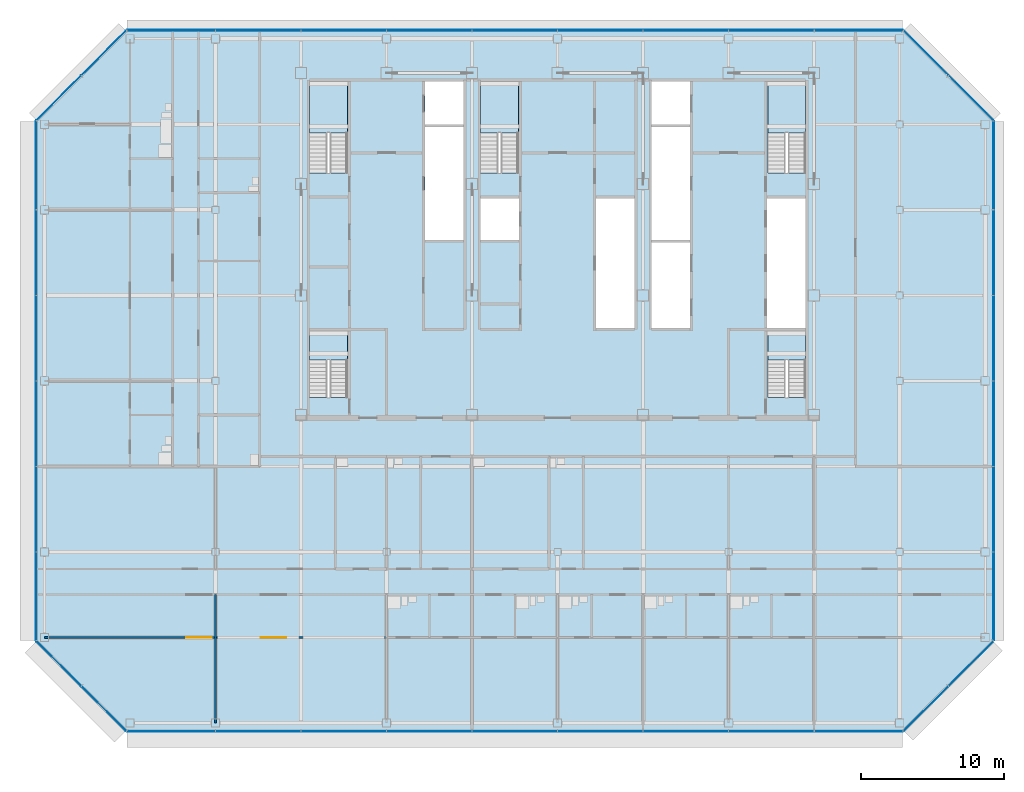
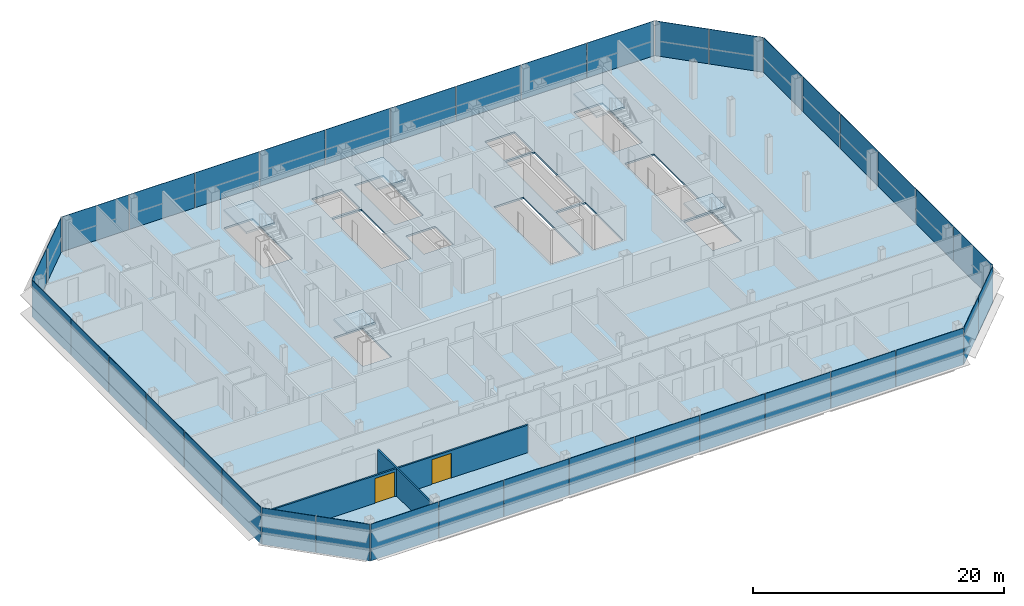
# One storey, part 20 of 28: 38 plates, 6 slabs, 2 doors, 2 walls, 2 openings, 13 elements without a shape of their own.
"""IFC4 building model written with IfcOpenShell, lengths in metres."""

from ifc_helpers import new_model, si_unit, direction, frame, frame_2d, origin, origin_2d, place, context, subcontext, project, spatial, polyline, rectangle, outline, extrude, material, layer, layer_set, type_object, element, fill, aggregate, save


model = new_model("IFC4")

# Units and contexts
model_context = context("Model", 3, precision=1e-05, world=origin(), true_north=direction((0.0, 1.0)))
body_context = subcontext(model_context, "Body", "Model", "MODEL_VIEW")
ifc_project = project(units=[si_unit("LENGTHUNIT", "METRE"), si_unit("AREAUNIT", "SQUARE_METRE"), si_unit("VOLUMEUNIT", "CUBIC_METRE"), si_unit("PLANEANGLEUNIT", "RADIAN"), si_unit("MASSUNIT", "GRAM", prefix="KILO")], contexts=[model_context])

# Site, building, storey
site_placement = place(None, origin())
site = spatial("IfcSite", under=ifc_project, at=site_placement, CompositionType="ELEMENT")
building_placement = place(site_placement, origin())
building = spatial("IfcBuilding", under=site, at=building_placement, Name="Sorahane Residences", CompositionType="ELEMENT")
storey_placement = place(building_placement, frame((0.0, 0.0, 254.0)))
storey = spatial("IfcBuildingStorey", under=building, at=storey_placement, Name="L60", CompositionType="ELEMENT", Elevation=254.0)

# Slab
ifc_material_1 = material(Name="Concrete C35", Category="concrete")
ifc_layer_1 = layer(ifc_material_1, 0.179931640625)
ifc_layer_set_1 = layer_set([ifc_layer_1], Name="Composite floor slab 180 mm Concrete C35")
slab_type_1 = type_object("IfcSlabType", Name="Composite floor slab 180 mm Concrete C35", PredefinedType="FLOOR", material=ifc_layer_set_1)
slab_1_placement = place(storey_placement, frame((0.0, 0.0, -0.179931640625)))
element("IfcSlab", 1, at=slab_1_placement, inside=storey, type_object=slab_type_1, Name="Slab L60", PredefinedType="FLOOR", context=body_context, shape_type="SweptSolid", body=[
    extrude(outline(polyline([(-6.24853515625, -0.60009765625), (-12.60009765625, 5.75146484375), (-12.60009765625, 42.24853515625), (-6.24853515625, 48.60009765625), (48.24853515625, 48.60009765625), (54.60009765625, 42.24853515625), (54.60009765625, 5.75146484375), (48.24853515625, -0.60009765625), (-6.24853515625, -0.60009765625)]), holes=[polyline([(38.699951171875, 27.699951171875), (41.39990234375, 27.699951171875), (41.39990234375, 36.800048828125), (38.699951171875, 36.800048828125), (38.699951171875, 27.699951171875)]), polyline([(30.60009765625, 27.699951171875), (33.300048828125, 27.699951171875), (33.300048828125, 33.699951171875), (30.60009765625, 33.699951171875), (30.60009765625, 27.699951171875)]), polyline([(30.60009765625, 42.0), (33.300048828125, 42.0), (33.300048828125, 45.0), (30.60009765625, 45.0), (30.60009765625, 42.0)]), polyline([(14.699951171875, 42.0), (17.39990234375, 42.0), (17.39990234375, 45.0), (14.699951171875, 45.0), (14.699951171875, 42.0)]), polyline([(9.25, 38.60009765625), (9.25, 45.0), (6.60009765625, 45.0), (6.60009765625, 38.60009765625), (9.25, 38.60009765625)]), polyline([(41.39990234375, 38.60009765625), (41.39990234375, 45.0), (38.75, 45.0), (38.75, 38.60009765625), (41.39990234375, 38.60009765625)]), polyline([(21.25, 38.60009765625), (21.25, 45.0), (18.60009765625, 45.0), (18.60009765625, 38.60009765625), (21.25, 38.60009765625)]), polyline([(9.25, 22.85009765625), (9.25, 27.5), (6.60009765625, 27.5), (6.60009765625, 22.85009765625), (9.25, 22.85009765625)]), polyline([(41.39990234375, 22.85009765625), (41.39990234375, 27.5), (38.75, 27.5), (38.75, 22.85009765625), (41.39990234375, 22.85009765625)]), polyline([(14.699951171875, 33.89990234375), (17.39990234375, 33.89990234375), (17.39990234375, 41.800048828125), (14.699951171875, 41.800048828125), (14.699951171875, 33.89990234375)]), polyline([(30.60009765625, 33.89990234375), (33.300048828125, 33.89990234375), (33.300048828125, 41.800048828125), (30.60009765625, 41.800048828125), (30.60009765625, 33.89990234375)]), polyline([(18.60009765625, 33.89990234375), (21.300048828125, 33.89990234375), (21.300048828125, 36.800048828125), (18.60009765625, 36.800048828125), (18.60009765625, 33.89990234375)]), polyline([(26.699951171875, 27.699951171875), (29.39990234375, 27.699951171875), (29.39990234375, 36.800048828125), (26.699951171875, 36.800048828125), (26.699951171875, 27.699951171875)])]), origin(), (0.0, 0.0, 1.0), 0.179931640625),
])

# Curtain wall, plates
ifc_material_2 = material(Name="Dark low-e glass and black anodised aluminium", Category="aluminium")
curtain_wall_type_1 = type_object("IfcCurtainWallType", Name="Curtain wall CW-1 Typical unitised wall", PredefinedType="NOTDEFINED", material=ifc_material_2)
curtain_wall_1_placement = place(storey_placement, origin())
curtain_wall_1 = element("IfcCurtainWall", 2, at=curtain_wall_1_placement, inside=storey, type_object=curtain_wall_type_1, Name="CW-1 curtain wall L60 S1", PredefinedType="NOTDEFINED")
ifc_material_3 = material(Name="Dark low-e glass with black ceramic frit", Category="glass")
ifc_layer_2 = layer(ifc_material_3, 0.0400390625)
ifc_layer_set_2 = layer_set([ifc_layer_2], Name="Curtain wall glass panel dark low-e with black frit spandrel band")
plate_type = type_object("IfcPlateType", Name="Curtain wall glass panel dark low-e with black frit spandrel band", PredefinedType="CURTAIN_PANEL", material=ifc_layer_set_2)
plate_1_placement = place(storey_placement, frame((-3.11181640625, -0.60009765625, -0.179931640625), z_axis=(0.0, 0.0, 1.0), x_axis=(1.0, 0.0, 0.0)))
plate_1 = element("IfcPlate", 3, at=plate_1_placement, type_object=plate_type, Name="CW-1 glass panel L60 S1.1", PredefinedType="CURTAIN_PANEL", context=body_context, shape_type="SweptSolid", body=[
    extrude(rectangle(XDim=6.173583984375, YDim=0.0400390625, at=origin_2d()), origin(), (0.0, 0.0, 1.0), 3.56005859375),
])
plate_2_placement = place(storey_placement, frame((3.0, -0.60009765625, -0.179931640625), z_axis=(0.0, 0.0, 1.0), x_axis=(1.0, 0.0, 0.0)))
plate_2 = element("IfcPlate", 4, at=plate_2_placement, type_object=plate_type, Name="CW-1 glass panel L60 S1.2", PredefinedType="CURTAIN_PANEL", context=body_context, shape_type="SweptSolid", body=[
    extrude(rectangle(XDim=5.949951171875, YDim=0.0400390625, at=origin_2d()), origin(), (0.0, 0.0, 1.0), 3.56005859375),
])
plate_3_placement = place(storey_placement, frame((9.0, -0.60009765625, -0.179931640625), z_axis=(0.0, 0.0, 1.0), x_axis=(1.0, 0.0, 0.0)))
plate_3 = element("IfcPlate", 5, at=plate_3_placement, type_object=plate_type, Name="CW-1 glass panel L60 S1.3", PredefinedType="CURTAIN_PANEL", context=body_context, shape_type="SweptSolid", body=[
    extrude(rectangle(XDim=5.949951171875, YDim=0.0400390625, at=origin_2d()), origin(), (0.0, 0.0, 1.0), 3.56005859375),
])
plate_4_placement = place(storey_placement, frame((15.0, -0.60009765625, -0.179931640625), z_axis=(0.0, 0.0, 1.0), x_axis=(1.0, 0.0, 0.0)))
plate_4 = element("IfcPlate", 6, at=plate_4_placement, type_object=plate_type, Name="CW-1 glass panel L60 S1.4", PredefinedType="CURTAIN_PANEL", context=body_context, shape_type="SweptSolid", body=[
    extrude(rectangle(XDim=5.949951171875, YDim=0.0400390625, at=origin_2d()), origin(), (0.0, 0.0, 1.0), 3.56005859375),
])
plate_5_placement = place(storey_placement, frame((21.0, -0.60009765625, -0.179931640625), z_axis=(0.0, 0.0, 1.0), x_axis=(1.0, 0.0, 0.0)))
plate_5 = element("IfcPlate", 7, at=plate_5_placement, type_object=plate_type, Name="CW-1 glass panel L60 S1.5", PredefinedType="CURTAIN_PANEL", context=body_context, shape_type="SweptSolid", body=[
    extrude(rectangle(XDim=5.949951171875, YDim=0.0400390625, at=origin_2d()), origin(), (0.0, 0.0, 1.0), 3.56005859375),
])
plate_6_placement = place(storey_placement, frame((27.0, -0.60009765625, -0.179931640625), z_axis=(0.0, 0.0, 1.0), x_axis=(1.0, 0.0, 0.0)))
plate_6 = element("IfcPlate", 8, at=plate_6_placement, type_object=plate_type, Name="CW-1 glass panel L60 S1.6", PredefinedType="CURTAIN_PANEL", context=body_context, shape_type="SweptSolid", body=[
    extrude(rectangle(XDim=5.949951171875, YDim=0.0400390625, at=origin_2d()), origin(), (0.0, 0.0, 1.0), 3.56005859375),
])
plate_7_placement = place(storey_placement, frame((33.0, -0.60009765625, -0.179931640625), z_axis=(0.0, 0.0, 1.0), x_axis=(1.0, 0.0, 0.0)))
plate_7 = element("IfcPlate", 9, at=plate_7_placement, type_object=plate_type, Name="CW-1 glass panel L60 S1.7", PredefinedType="CURTAIN_PANEL", context=body_context, shape_type="SweptSolid", body=[
    extrude(rectangle(XDim=5.949951171875, YDim=0.0400390625, at=origin_2d()), origin(), (0.0, 0.0, 1.0), 3.56005859375),
])
plate_8_placement = place(storey_placement, frame((39.0, -0.60009765625, -0.179931640625), z_axis=(0.0, 0.0, 1.0), x_axis=(1.0, 0.0, 0.0)))
plate_8 = element("IfcPlate", 10, at=plate_8_placement, type_object=plate_type, Name="CW-1 glass panel L60 S1.8", PredefinedType="CURTAIN_PANEL", context=body_context, shape_type="SweptSolid", body=[
    extrude(rectangle(XDim=5.949951171875, YDim=0.0400390625, at=origin_2d()), origin(), (0.0, 0.0, 1.0), 3.56005859375),
])
plate_9_placement = place(storey_placement, frame((45.11181640625, -0.60009765625, -0.179931640625), z_axis=(0.0, 0.0, 1.0), x_axis=(1.0, 0.0, 0.0)))
plate_9 = element("IfcPlate", 11, at=plate_9_placement, type_object=plate_type, Name="CW-1 glass panel L60 S1.9", PredefinedType="CURTAIN_PANEL", context=body_context, shape_type="SweptSolid", body=[
    extrude(rectangle(XDim=6.173583984375, YDim=0.0400390625, at=origin_2d()), origin(), (0.0, 0.0, 1.0), 3.56005859375),
])
aggregate(curtain_wall_1, [plate_1, plate_2, plate_3, plate_4, plate_5, plate_6, plate_7, plate_8, plate_9])

ifc_material_4 = material(Name="Dark low-e glass and black anodised aluminium", Category="aluminium")
curtain_wall_type_2 = type_object("IfcCurtainWallType", Name="Curtain wall CW-2 Chamfer unitised wall", PredefinedType="NOTDEFINED", material=ifc_material_4)
curtain_wall_2_placement = place(storey_placement, origin())
curtain_wall_2 = element("IfcCurtainWall", 12, at=curtain_wall_2_placement, inside=storey, type_object=curtain_wall_type_2, Name="CW-2 curtain wall L60 SE1", PredefinedType="NOTDEFINED")
plate_10_placement = place(storey_placement, frame((49.84521484375, 0.996826171875, -0.179931640625), z_axis=(0.0, 0.0, 1.0), x_axis=(0.707106781187, 0.707106781187, 0.0)))
plate_10 = element("IfcPlate", 13, at=plate_10_placement, type_object=plate_type, Name="CW-2 glass panel L60 SE1.1", PredefinedType="CURTAIN_PANEL", context=body_context, shape_type="SweptSolid", body=[
    extrude(rectangle(XDim=4.416259765625, YDim=0.0400390625, at=origin_2d()), origin(), (0.0, 0.0, 1.0), 3.56005859375),
])
plate_11_placement = place(storey_placement, frame((53.003173828125, 4.15478515625, -0.179931640625), z_axis=(0.0, 0.0, 1.0), x_axis=(0.707106781187, 0.707106781187, 0.0)))
plate_11 = element("IfcPlate", 14, at=plate_11_placement, type_object=plate_type, Name="CW-2 glass panel L60 SE1.2", PredefinedType="CURTAIN_PANEL", context=body_context, shape_type="SweptSolid", body=[
    extrude(rectangle(XDim=4.416259765625, YDim=0.0400390625, at=origin_2d()), origin(), (0.0, 0.0, 1.0), 3.56005859375),
])
aggregate(curtain_wall_2, [plate_10, plate_11])

curtain_wall_3_placement = place(storey_placement, origin())
curtain_wall_3 = element("IfcCurtainWall", 15, at=curtain_wall_3_placement, inside=storey, type_object=curtain_wall_type_1, Name="CW-1 curtain wall L60 E1", PredefinedType="NOTDEFINED")
plate_12_placement = place(storey_placement, frame((54.60009765625, 8.88818359375, -0.179931640625), z_axis=(0.0, 0.0, 1.0), x_axis=(0.0, 1.0, 0.0)))
plate_12 = element("IfcPlate", 16, at=plate_12_placement, type_object=plate_type, Name="CW-1 glass panel L60 E1.1", PredefinedType="CURTAIN_PANEL", context=body_context, shape_type="SweptSolid", body=[
    extrude(rectangle(XDim=6.173583984375, YDim=0.0400390625, at=origin_2d()), origin(), (0.0, 0.0, 1.0), 3.56005859375),
])
plate_13_placement = place(storey_placement, frame((54.60009765625, 15.0, -0.179931640625), z_axis=(0.0, 0.0, 1.0), x_axis=(0.0, 1.0, 0.0)))
plate_13 = element("IfcPlate", 17, at=plate_13_placement, type_object=plate_type, Name="CW-1 glass panel L60 E1.2", PredefinedType="CURTAIN_PANEL", context=body_context, shape_type="SweptSolid", body=[
    extrude(rectangle(XDim=5.949951171875, YDim=0.0400390625, at=origin_2d()), origin(), (0.0, 0.0, 1.0), 3.56005859375),
])
plate_14_placement = place(storey_placement, frame((54.60009765625, 21.0, -0.179931640625), z_axis=(0.0, 0.0, 1.0), x_axis=(0.0, 1.0, 0.0)))
plate_14 = element("IfcPlate", 18, at=plate_14_placement, type_object=plate_type, Name="CW-1 glass panel L60 E1.3", PredefinedType="CURTAIN_PANEL", context=body_context, shape_type="SweptSolid", body=[
    extrude(rectangle(XDim=5.949951171875, YDim=0.0400390625, at=origin_2d()), origin(), (0.0, 0.0, 1.0), 3.56005859375),
])
plate_15_placement = place(storey_placement, frame((54.60009765625, 27.0, -0.179931640625), z_axis=(0.0, 0.0, 1.0), x_axis=(0.0, 1.0, 0.0)))
plate_15 = element("IfcPlate", 19, at=plate_15_placement, type_object=plate_type, Name="CW-1 glass panel L60 E1.4", PredefinedType="CURTAIN_PANEL", context=body_context, shape_type="SweptSolid", body=[
    extrude(rectangle(XDim=5.949951171875, YDim=0.0400390625, at=origin_2d()), origin(), (0.0, 0.0, 1.0), 3.56005859375),
])
plate_16_placement = place(storey_placement, frame((54.60009765625, 33.0, -0.179931640625), z_axis=(0.0, 0.0, 1.0), x_axis=(0.0, 1.0, 0.0)))
plate_16 = element("IfcPlate", 20, at=plate_16_placement, type_object=plate_type, Name="CW-1 glass panel L60 E1.5", PredefinedType="CURTAIN_PANEL", context=body_context, shape_type="SweptSolid", body=[
    extrude(rectangle(XDim=5.949951171875, YDim=0.0400390625, at=origin_2d()), origin(), (0.0, 0.0, 1.0), 3.56005859375),
])
plate_17_placement = place(storey_placement, frame((54.60009765625, 39.11181640625, -0.179931640625), z_axis=(0.0, 0.0, 1.0), x_axis=(0.0, 1.0, 0.0)))
plate_17 = element("IfcPlate", 21, at=plate_17_placement, type_object=plate_type, Name="CW-1 glass panel L60 E1.6", PredefinedType="CURTAIN_PANEL", context=body_context, shape_type="SweptSolid", body=[
    extrude(rectangle(XDim=6.173583984375, YDim=0.0400390625, at=origin_2d()), origin(), (0.0, 0.0, 1.0), 3.56005859375),
])
aggregate(curtain_wall_3, [plate_12, plate_13, plate_14, plate_15, plate_16, plate_17])

curtain_wall_4_placement = place(storey_placement, origin())
curtain_wall_4 = element("IfcCurtainWall", 22, at=curtain_wall_4_placement, inside=storey, type_object=curtain_wall_type_2, Name="CW-2 curtain wall L60 NE1", PredefinedType="NOTDEFINED")
plate_18_placement = place(storey_placement, frame((53.003173828125, 43.84521484375, -0.179931640625), z_axis=(0.0, 0.0, 1.0), x_axis=(-0.707106781187, 0.707106781187, 0.0)))
plate_18 = element("IfcPlate", 23, at=plate_18_placement, type_object=plate_type, Name="CW-2 glass panel L60 NE1.1", PredefinedType="CURTAIN_PANEL", context=body_context, shape_type="SweptSolid", body=[
    extrude(rectangle(XDim=4.416259765625, YDim=0.0400390625, at=origin_2d()), origin(), (0.0, 0.0, 1.0), 3.56005859375),
])
plate_19_placement = place(storey_placement, frame((49.84521484375, 47.003173828125, -0.179931640625), z_axis=(0.0, 0.0, 1.0), x_axis=(-0.707106781187, 0.707106781187, 0.0)))
plate_19 = element("IfcPlate", 24, at=plate_19_placement, type_object=plate_type, Name="CW-2 glass panel L60 NE1.2", PredefinedType="CURTAIN_PANEL", context=body_context, shape_type="SweptSolid", body=[
    extrude(rectangle(XDim=4.416259765625, YDim=0.0400390625, at=origin_2d()), origin(), (0.0, 0.0, 1.0), 3.56005859375),
])
aggregate(curtain_wall_4, [plate_18, plate_19])

curtain_wall_5_placement = place(storey_placement, origin())
curtain_wall_5 = element("IfcCurtainWall", 25, at=curtain_wall_5_placement, inside=storey, type_object=curtain_wall_type_1, Name="CW-1 curtain wall L60 N1", PredefinedType="NOTDEFINED")
plate_20_placement = place(storey_placement, frame((45.11181640625, 48.60009765625, -0.179931640625), z_axis=(0.0, 0.0, 1.0), x_axis=(-1.0, 0.0, 0.0)))
plate_20 = element("IfcPlate", 26, at=plate_20_placement, type_object=plate_type, Name="CW-1 glass panel L60 N1.1", PredefinedType="CURTAIN_PANEL", context=body_context, shape_type="SweptSolid", body=[
    extrude(rectangle(XDim=6.173583984375, YDim=0.0400390625, at=origin_2d()), origin(), (0.0, 0.0, 1.0), 3.56005859375),
])
plate_21_placement = place(storey_placement, frame((39.0, 48.60009765625, -0.179931640625), z_axis=(0.0, 0.0, 1.0), x_axis=(-1.0, 0.0, 0.0)))
plate_21 = element("IfcPlate", 27, at=plate_21_placement, type_object=plate_type, Name="CW-1 glass panel L60 N1.2", PredefinedType="CURTAIN_PANEL", context=body_context, shape_type="SweptSolid", body=[
    extrude(rectangle(XDim=5.949951171875, YDim=0.0400390625, at=origin_2d()), origin(), (0.0, 0.0, 1.0), 3.56005859375),
])
plate_22_placement = place(storey_placement, frame((33.0, 48.60009765625, -0.179931640625), z_axis=(0.0, 0.0, 1.0), x_axis=(-1.0, 0.0, 0.0)))
plate_22 = element("IfcPlate", 28, at=plate_22_placement, type_object=plate_type, Name="CW-1 glass panel L60 N1.3", PredefinedType="CURTAIN_PANEL", context=body_context, shape_type="SweptSolid", body=[
    extrude(rectangle(XDim=5.949951171875, YDim=0.0400390625, at=origin_2d()), origin(), (0.0, 0.0, 1.0), 3.56005859375),
])
plate_23_placement = place(storey_placement, frame((27.0, 48.60009765625, -0.179931640625), z_axis=(0.0, 0.0, 1.0), x_axis=(-1.0, 0.0, 0.0)))
plate_23 = element("IfcPlate", 29, at=plate_23_placement, type_object=plate_type, Name="CW-1 glass panel L60 N1.4", PredefinedType="CURTAIN_PANEL", context=body_context, shape_type="SweptSolid", body=[
    extrude(rectangle(XDim=5.949951171875, YDim=0.0400390625, at=origin_2d()), origin(), (0.0, 0.0, 1.0), 3.56005859375),
])
plate_24_placement = place(storey_placement, frame((21.0, 48.60009765625, -0.179931640625), z_axis=(0.0, 0.0, 1.0), x_axis=(-1.0, 0.0, 0.0)))
plate_24 = element("IfcPlate", 30, at=plate_24_placement, type_object=plate_type, Name="CW-1 glass panel L60 N1.5", PredefinedType="CURTAIN_PANEL", context=body_context, shape_type="SweptSolid", body=[
    extrude(rectangle(XDim=5.949951171875, YDim=0.0400390625, at=origin_2d()), origin(), (0.0, 0.0, 1.0), 3.56005859375),
])
plate_25_placement = place(storey_placement, frame((15.0, 48.60009765625, -0.179931640625), z_axis=(0.0, 0.0, 1.0), x_axis=(-1.0, 0.0, 0.0)))
plate_25 = element("IfcPlate", 31, at=plate_25_placement, type_object=plate_type, Name="CW-1 glass panel L60 N1.6", PredefinedType="CURTAIN_PANEL", context=body_context, shape_type="SweptSolid", body=[
    extrude(rectangle(XDim=5.949951171875, YDim=0.0400390625, at=origin_2d()), origin(), (0.0, 0.0, 1.0), 3.56005859375),
])
plate_26_placement = place(storey_placement, frame((9.0, 48.60009765625, -0.179931640625), z_axis=(0.0, 0.0, 1.0), x_axis=(-1.0, 0.0, 0.0)))
plate_26 = element("IfcPlate", 32, at=plate_26_placement, type_object=plate_type, Name="CW-1 glass panel L60 N1.7", PredefinedType="CURTAIN_PANEL", context=body_context, shape_type="SweptSolid", body=[
    extrude(rectangle(XDim=5.949951171875, YDim=0.0400390625, at=origin_2d()), origin(), (0.0, 0.0, 1.0), 3.56005859375),
])
plate_27_placement = place(storey_placement, frame((3.0, 48.60009765625, -0.179931640625), z_axis=(0.0, 0.0, 1.0), x_axis=(-1.0, 0.0, 0.0)))
plate_27 = element("IfcPlate", 33, at=plate_27_placement, type_object=plate_type, Name="CW-1 glass panel L60 N1.8", PredefinedType="CURTAIN_PANEL", context=body_context, shape_type="SweptSolid", body=[
    extrude(rectangle(XDim=5.949951171875, YDim=0.0400390625, at=origin_2d()), origin(), (0.0, 0.0, 1.0), 3.56005859375),
])
plate_28_placement = place(storey_placement, frame((-3.11181640625, 48.60009765625, -0.179931640625), z_axis=(0.0, 0.0, 1.0), x_axis=(-1.0, 0.0, 0.0)))
plate_28 = element("IfcPlate", 34, at=plate_28_placement, type_object=plate_type, Name="CW-1 glass panel L60 N1.9", PredefinedType="CURTAIN_PANEL", context=body_context, shape_type="SweptSolid", body=[
    extrude(rectangle(XDim=6.173583984375, YDim=0.0400390625, at=origin_2d()), origin(), (0.0, 0.0, 1.0), 3.56005859375),
])
aggregate(curtain_wall_5, [plate_20, plate_21, plate_22, plate_23, plate_24, plate_25, plate_26, plate_27, plate_28])

curtain_wall_6_placement = place(storey_placement, origin())
curtain_wall_6 = element("IfcCurtainWall", 35, at=curtain_wall_6_placement, inside=storey, type_object=curtain_wall_type_2, Name="CW-2 curtain wall L60 NW1", PredefinedType="NOTDEFINED")
plate_29_placement = place(storey_placement, frame((-7.84521484375, 47.003173828125, -0.179931640625), z_axis=(0.0, 0.0, 1.0), x_axis=(-0.707106781187, -0.707106781187, 0.0)))
plate_29 = element("IfcPlate", 36, at=plate_29_placement, type_object=plate_type, Name="CW-2 glass panel L60 NW1.1", PredefinedType="CURTAIN_PANEL", context=body_context, shape_type="SweptSolid", body=[
    extrude(rectangle(XDim=4.416259765625, YDim=0.0400390625, at=origin_2d()), origin(), (0.0, 0.0, 1.0), 3.56005859375),
])
plate_30_placement = place(storey_placement, frame((-11.003173828125, 43.84521484375, -0.179931640625), z_axis=(0.0, 0.0, 1.0), x_axis=(-0.707106781187, -0.707106781187, 0.0)))
plate_30 = element("IfcPlate", 37, at=plate_30_placement, type_object=plate_type, Name="CW-2 glass panel L60 NW1.2", PredefinedType="CURTAIN_PANEL", context=body_context, shape_type="SweptSolid", body=[
    extrude(rectangle(XDim=4.416259765625, YDim=0.0400390625, at=origin_2d()), origin(), (0.0, 0.0, 1.0), 3.56005859375),
])
aggregate(curtain_wall_6, [plate_29, plate_30])

curtain_wall_7_placement = place(storey_placement, origin())
curtain_wall_7 = element("IfcCurtainWall", 38, at=curtain_wall_7_placement, inside=storey, type_object=curtain_wall_type_1, Name="CW-1 curtain wall L60 W1", PredefinedType="NOTDEFINED")
plate_31_placement = place(storey_placement, frame((-12.60009765625, 39.11181640625, -0.179931640625), z_axis=(0.0, 0.0, 1.0), x_axis=(0.0, -1.0, 0.0)))
plate_31 = element("IfcPlate", 39, at=plate_31_placement, type_object=plate_type, Name="CW-1 glass panel L60 W1.1", PredefinedType="CURTAIN_PANEL", context=body_context, shape_type="SweptSolid", body=[
    extrude(rectangle(XDim=6.173583984375, YDim=0.0400390625, at=origin_2d()), origin(), (0.0, 0.0, 1.0), 3.56005859375),
])
plate_32_placement = place(storey_placement, frame((-12.60009765625, 33.0, -0.179931640625), z_axis=(0.0, 0.0, 1.0), x_axis=(0.0, -1.0, 0.0)))
plate_32 = element("IfcPlate", 40, at=plate_32_placement, type_object=plate_type, Name="CW-1 glass panel L60 W1.2", PredefinedType="CURTAIN_PANEL", context=body_context, shape_type="SweptSolid", body=[
    extrude(rectangle(XDim=5.949951171875, YDim=0.0400390625, at=origin_2d()), origin(), (0.0, 0.0, 1.0), 3.56005859375),
])
plate_33_placement = place(storey_placement, frame((-12.60009765625, 27.0, -0.179931640625), z_axis=(0.0, 0.0, 1.0), x_axis=(0.0, -1.0, 0.0)))
plate_33 = element("IfcPlate", 41, at=plate_33_placement, type_object=plate_type, Name="CW-1 glass panel L60 W1.3", PredefinedType="CURTAIN_PANEL", context=body_context, shape_type="SweptSolid", body=[
    extrude(rectangle(XDim=5.949951171875, YDim=0.0400390625, at=origin_2d()), origin(), (0.0, 0.0, 1.0), 3.56005859375),
])
plate_34_placement = place(storey_placement, frame((-12.60009765625, 21.0, -0.179931640625), z_axis=(0.0, 0.0, 1.0), x_axis=(0.0, -1.0, 0.0)))
plate_34 = element("IfcPlate", 42, at=plate_34_placement, type_object=plate_type, Name="CW-1 glass panel L60 W1.4", PredefinedType="CURTAIN_PANEL", context=body_context, shape_type="SweptSolid", body=[
    extrude(rectangle(XDim=5.949951171875, YDim=0.0400390625, at=origin_2d()), origin(), (0.0, 0.0, 1.0), 3.56005859375),
])
plate_35_placement = place(storey_placement, frame((-12.60009765625, 15.0, -0.179931640625), z_axis=(0.0, 0.0, 1.0), x_axis=(0.0, -1.0, 0.0)))
plate_35 = element("IfcPlate", 43, at=plate_35_placement, type_object=plate_type, Name="CW-1 glass panel L60 W1.5", PredefinedType="CURTAIN_PANEL", context=body_context, shape_type="SweptSolid", body=[
    extrude(rectangle(XDim=5.949951171875, YDim=0.0400390625, at=origin_2d()), origin(), (0.0, 0.0, 1.0), 3.56005859375),
])
plate_36_placement = place(storey_placement, frame((-12.60009765625, 8.88818359375, -0.179931640625), z_axis=(0.0, 0.0, 1.0), x_axis=(0.0, -1.0, 0.0)))
plate_36 = element("IfcPlate", 44, at=plate_36_placement, type_object=plate_type, Name="CW-1 glass panel L60 W1.6", PredefinedType="CURTAIN_PANEL", context=body_context, shape_type="SweptSolid", body=[
    extrude(rectangle(XDim=6.173583984375, YDim=0.0400390625, at=origin_2d()), origin(), (0.0, 0.0, 1.0), 3.56005859375),
])
aggregate(curtain_wall_7, [plate_31, plate_32, plate_33, plate_34, plate_35, plate_36])

curtain_wall_8_placement = place(storey_placement, origin())
curtain_wall_8 = element("IfcCurtainWall", 45, at=curtain_wall_8_placement, inside=storey, type_object=curtain_wall_type_2, Name="CW-2 curtain wall L60 SW1", PredefinedType="NOTDEFINED")
plate_37_placement = place(storey_placement, frame((-11.003173828125, 4.15478515625, -0.179931640625), z_axis=(0.0, 0.0, 1.0), x_axis=(0.707106781187, -0.707106781187, 0.0)))
plate_37 = element("IfcPlate", 46, at=plate_37_placement, type_object=plate_type, Name="CW-2 glass panel L60 SW1.1", PredefinedType="CURTAIN_PANEL", context=body_context, shape_type="SweptSolid", body=[
    extrude(rectangle(XDim=4.416259765625, YDim=0.0400390625, at=origin_2d()), origin(), (0.0, 0.0, 1.0), 3.56005859375),
])
plate_38_placement = place(storey_placement, frame((-7.84521484375, 0.996826171875, -0.179931640625), z_axis=(0.0, 0.0, 1.0), x_axis=(0.707106781187, -0.707106781187, 0.0)))
plate_38 = element("IfcPlate", 47, at=plate_38_placement, type_object=plate_type, Name="CW-2 glass panel L60 SW1.2", PredefinedType="CURTAIN_PANEL", context=body_context, shape_type="SweptSolid", body=[
    extrude(rectangle(XDim=4.416259765625, YDim=0.0400390625, at=origin_2d()), origin(), (0.0, 0.0, 1.0), 3.56005859375),
])
aggregate(curtain_wall_8, [plate_37, plate_38])

# Stair, slab
ifc_material_5 = material(Name="Concrete C40", Category="concrete")
stair_type = type_object("IfcStairType", Name="Dog-leg stair 1250 Concrete C40", PredefinedType="HALF_TURN_STAIR", material=ifc_material_5)
stair_1_placement = place(storey_placement, origin())
stair_1 = element("IfcStair", 48, at=stair_1_placement, inside=storey, type_object=stair_type, Name="L60 Stair S1", PredefinedType="HALF_TURN_STAIR")
ifc_material_6 = material(Name="Concrete C40", Category="concrete")
ifc_layer_3 = layer(ifc_material_6, 0.199951171875)
ifc_layer_set_3 = layer_set([ifc_layer_3], Name="Stair landing 200 Concrete C40")
slab_type_2 = type_object("IfcSlabType", Name="Stair landing 200 Concrete C40", PredefinedType="LANDING", material=ifc_layer_set_3)
slab_2_placement = place(storey_placement, frame((0.0, 0.0, 1.60009765625)))
slab_2 = element("IfcSlab", 49, at=slab_2_placement, type_object=slab_type_2, Name="S1 landing 1", PredefinedType="LANDING", context=body_context, shape_type="SweptSolid", body=[
    extrude(outline(polyline([(9.25, 41.39990234375), (9.25, 45.0), (6.60009765625, 45.0), (6.60009765625, 41.39990234375), (9.25, 41.39990234375)])), origin(), (0.0, 0.0, 1.0), 0.199951171875),
])
aggregate(stair_1, [slab_2])

stair_2_placement = place(storey_placement, origin())
stair_2 = element("IfcStair", 50, at=stair_2_placement, inside=storey, type_object=stair_type, Name="L60 Stair S2", PredefinedType="HALF_TURN_STAIR")
slab_3_placement = place(storey_placement, frame((0.0, 0.0, 1.60009765625)))
slab_3 = element("IfcSlab", 51, at=slab_3_placement, type_object=slab_type_2, Name="S2 landing 1", PredefinedType="LANDING", context=body_context, shape_type="SweptSolid", body=[
    extrude(outline(polyline([(41.39990234375, 41.39990234375), (41.39990234375, 45.0), (38.75, 45.0), (38.75, 41.39990234375), (41.39990234375, 41.39990234375)])), origin(), (0.0, 0.0, 1.0), 0.199951171875),
])
aggregate(stair_2, [slab_3])

stair_3_placement = place(storey_placement, origin())
stair_3 = element("IfcStair", 52, at=stair_3_placement, inside=storey, type_object=stair_type, Name="L60 Stair S3", PredefinedType="HALF_TURN_STAIR")
slab_4_placement = place(storey_placement, frame((0.0, 0.0, 1.60009765625)))
slab_4 = element("IfcSlab", 53, at=slab_4_placement, type_object=slab_type_2, Name="S3 landing 1", PredefinedType="LANDING", context=body_context, shape_type="SweptSolid", body=[
    extrude(outline(polyline([(21.25, 41.39990234375), (21.25, 45.0), (18.60009765625, 45.0), (18.60009765625, 41.39990234375), (21.25, 41.39990234375)])), origin(), (0.0, 0.0, 1.0), 0.199951171875),
])
aggregate(stair_3, [slab_4])

stair_4_placement = place(storey_placement, origin())
stair_4 = element("IfcStair", 54, at=stair_4_placement, inside=storey, type_object=stair_type, Name="L60 Stair S4", PredefinedType="HALF_TURN_STAIR")
slab_5_placement = place(storey_placement, frame((0.0, 0.0, 1.60009765625)))
slab_5 = element("IfcSlab", 55, at=slab_5_placement, type_object=slab_type_2, Name="S4 landing 1", PredefinedType="LANDING", context=body_context, shape_type="SweptSolid", body=[
    extrude(outline(polyline([(9.25, 25.449951171875), (9.25, 27.5), (6.60009765625, 27.5), (6.60009765625, 25.449951171875), (9.25, 25.449951171875)])), origin(), (0.0, 0.0, 1.0), 0.199951171875),
])
aggregate(stair_4, [slab_5])

stair_5_placement = place(storey_placement, origin())
stair_5 = element("IfcStair", 56, at=stair_5_placement, inside=storey, type_object=stair_type, Name="L60 Stair S5", PredefinedType="HALF_TURN_STAIR")
slab_6_placement = place(storey_placement, frame((0.0, 0.0, 1.60009765625)))
slab_6 = element("IfcSlab", 57, at=slab_6_placement, type_object=slab_type_2, Name="S5 landing 1", PredefinedType="LANDING", context=body_context, shape_type="SweptSolid", body=[
    extrude(outline(polyline([(41.39990234375, 25.449951171875), (41.39990234375, 27.5), (38.75, 27.5), (38.75, 25.449951171875), (41.39990234375, 25.449951171875)])), origin(), (0.0, 0.0, 1.0), 0.199951171875),
])
aggregate(stair_5, [slab_6])

# Wall
ifc_material_7 = material(Name="Gypsum board partition on steel studs", Category="steel")
ifc_layer_4 = layer(ifc_material_7, 0.14990234375)
ifc_layer_set_4 = layer_set([ifc_layer_4], Name="Partition 150 EI 90")
wall_type = type_object("IfcWallType", Name="Partition 150 EI 90", PredefinedType="PARTITIONING", material=ifc_layer_set_4)
wall_1_placement = place(storey_placement, frame((0.0, 0.0, 0.0), z_axis=(0.0, 0.0, 1.0), x_axis=(0.0, 1.0, 0.0)))
element("IfcWall", 58, at=wall_1_placement, inside=storey, type_object=wall_type, Name="L60 partition", PredefinedType="PARTITIONING", context=body_context, shape_type="SweptSolid", body=[
    extrude(rectangle(XDim=9.0, YDim=0.14990234375, at=frame_2d((4.5, 0.0))), origin(), (0.0, 0.0, 1.0), 2.679931640625),
])

# Wall, openings, doors
wall_2_placement = place(storey_placement, frame((-12.0, 6.0, 0.0), z_axis=(0.0, 0.0, 1.0), x_axis=(1.0, 0.0, 0.0)))
wall_2 = element("IfcWall", 59, at=wall_2_placement, inside=storey, type_object=wall_type, Name="L60 partition", PredefinedType="PARTITIONING", context=body_context, shape_type="SweptSolid", body=[
    extrude(rectangle(XDim=24.0, YDim=0.14990234375, at=frame_2d((12.0, 0.0))), origin(), (0.0, 0.0, 1.0), 2.679931640625),
])
opening_1_placement = place(wall_2_placement, frame((9.949951171875, 0.0, 0.0)))
opening_1 = element("IfcOpeningElement", 60, at=opening_1_placement, cuts=wall_2, Name="Opening L60-09", PredefinedType="OPENING", context=body_context, shape_type="SweptSolid", body=[
    extrude(rectangle(XDim=1.800048828125, YDim=2.39990234375, at=frame_2d((0.89990234375, 1.199951171875))), frame((0.0, 0.0849609375, 0.0), z_axis=(0.0, -1.0, 0.0), x_axis=(1.0, 0.0, 0.0)), (0.0, 0.0, 1.0), 0.169921875),
])
opening_2_placement = place(wall_2_placement, frame((15.159912109375, 0.0, 0.0)))
opening_2 = element("IfcOpeningElement", 61, at=opening_2_placement, cuts=wall_2, Name="Opening L60-10", PredefinedType="OPENING", context=body_context, shape_type="SweptSolid", body=[
    extrude(rectangle(XDim=1.800048828125, YDim=2.39990234375, at=frame_2d((0.89990234375, 1.199951171875))), frame((0.0, 0.0849609375, 0.0), z_axis=(0.0, -1.0, 0.0), x_axis=(1.0, 0.0, 0.0)), (0.0, 0.0, 1.0), 0.169921875),
])
ifc_material_8 = material(Name="Timber veneered fire door", Category="wood")
door_type = type_object("IfcDoorType", Name="Double door 1800x2400 FD30", OperationType="NOTDEFINED", PredefinedType="DOOR", material=ifc_material_8)
door_1_placement = place(opening_1_placement, frame((1.800048828125, 0.0, 0.0), z_axis=(0.0, 0.0, 1.0), x_axis=(-1.0, 0.0, 0.0)))
door_1 = element("IfcDoor", 62, at=door_1_placement, inside=storey, type_object=door_type, Name="Double door L60-09", OperationType="SINGLE_SWING_RIGHT", OverallHeight=2.39990234375, OverallWidth=1.800048828125, PredefinedType="DOOR", context=body_context, shape_type="SweptSolid", body=[
    extrude(rectangle(XDim=1.800048828125, YDim=2.39990234375, at=frame_2d((0.89990234375, 1.199951171875))), frame((0.0, 0.02490234375, 0.0), z_axis=(0.0, -1.0, 0.0), x_axis=(1.0, 0.0, 0.0)), (0.0, 0.0, 1.0), 0.050048828125),
])
fill(opening_1, door_1)
door_2_placement = place(opening_2_placement, frame((1.800048828125, 0.0, 0.0), z_axis=(0.0, 0.0, 1.0), x_axis=(-1.0, 0.0, 0.0)))
door_2 = element("IfcDoor", 63, at=door_2_placement, inside=storey, type_object=door_type, Name="Double door L60-10", OperationType="SINGLE_SWING_LEFT", OverallHeight=2.39990234375, OverallWidth=1.800048828125, PredefinedType="DOOR", context=body_context, shape_type="SweptSolid", body=[
    extrude(rectangle(XDim=1.800048828125, YDim=2.39990234375, at=frame_2d((0.89990234375, 1.199951171875))), frame((0.0, 0.02490234375, 0.0), z_axis=(0.0, -1.0, 0.0), x_axis=(1.0, 0.0, 0.0)), (0.0, 0.0, 1.0), 0.050048828125),
])
fill(opening_2, door_2)

save(model, "model.ifc")
